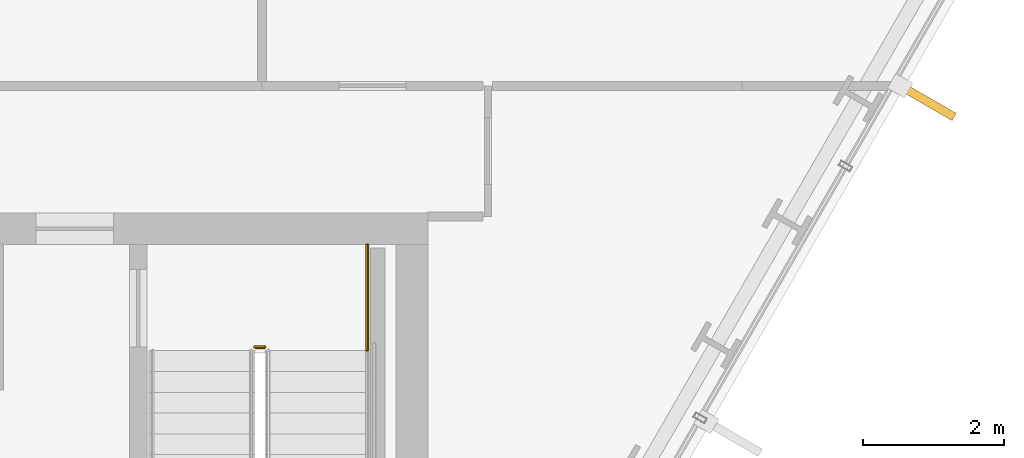
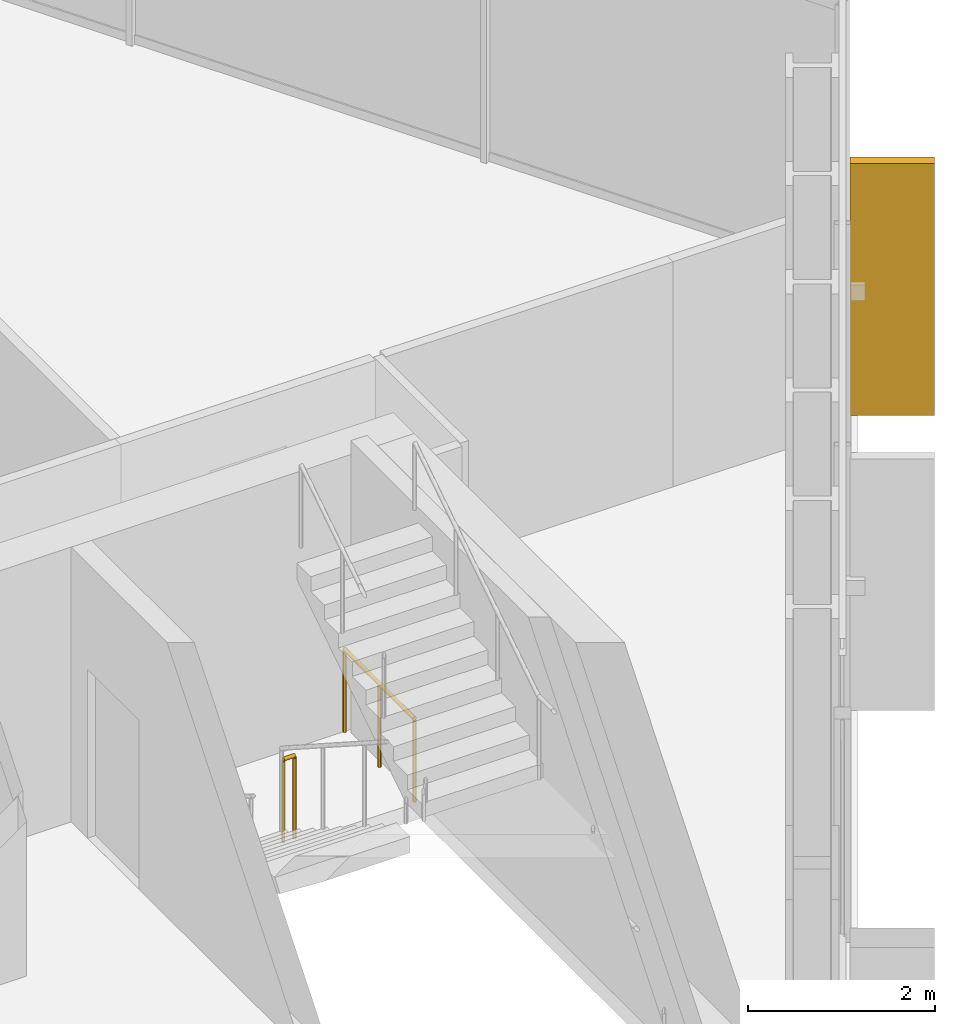
# One storey, part 32 of 33: 2 railings, 1 shading device.
"""IFC4 building model written with IfcOpenShell, lengths in metres."""

from ifc_helpers import new_model, si_unit, direction, frame, origin, origin_2d, place, context, subcontext, project, spatial, rectangle, circle, extrude, material, layer, layer_set, type_object, element, save


model = new_model("IFC4")

# Units and contexts
model_context = context("Model", 3, precision=1e-05, world=origin(), true_north=direction((0.0, 1.0)))
body_context = subcontext(model_context, "Body", "Model", "MODEL_VIEW")
ifc_project = project(units=[si_unit("LENGTHUNIT", "METRE"), si_unit("AREAUNIT", "SQUARE_METRE"), si_unit("VOLUMEUNIT", "CUBIC_METRE"), si_unit("PLANEANGLEUNIT", "RADIAN"), si_unit("MASSUNIT", "GRAM", prefix="KILO")], contexts=[model_context])

# Site, building, storey
site_placement = place(None, origin())
site = spatial("IfcSite", under=ifc_project, at=site_placement, CompositionType="ELEMENT")
building_placement = place(site_placement, origin())
building = spatial("IfcBuilding", under=site, at=building_placement, Name="Ndaravel Arena Tower", CompositionType="ELEMENT")
storey_placement = place(building_placement, frame((0.0, 0.0, 39.800048828125)))
storey = spatial("IfcBuildingStorey", under=building, at=storey_placement, Name="L07", CompositionType="ELEMENT", Elevation=39.800048828125)

# Railings
ifc_material_1 = material(Name="Steel S355", Category="steel")
ifc_layer = layer(ifc_material_1, 0.06005859375)
ifc_layer_set = layer_set([ifc_layer], Name="Steel S355")
railing_type = type_object("IfcRailingType", Name="RAIL-STAIR-GD1100", PredefinedType="GUARDRAIL", material=ifc_layer_set)
railing_1_placement = place(storey_placement, frame((55.10009765625, 13.300048828125, 0.0)))
element("IfcRailing", 1, at=railing_1_placement, inside=storey, type_object=railing_type, Name="L07 ST-3 stair guard 4", PredefinedType="GUARDRAIL", context=body_context, shape_type="SweptSolid", body=[
    extrude(circle(Radius=0.02392578125, at=origin_2d()), frame((0.0, 0.0, 1.076171875), z_axis=(1.0, 0.0, 0.0), x_axis=(0.0, 1.0, 0.0)), (0.0, 0.0, 1.0), 0.139892578125),
    extrude(circle(Radius=0.02099609375, at=origin_2d()), origin(), (0.0, 0.0, 1.0), 1.052001953125),
    extrude(circle(Radius=0.02099609375, at=origin_2d()), frame((0.139892578125, 0.0, 0.0)), (0.0, 0.0, 1.0), 1.052001953125),
])
railing_2_placement = place(storey_placement, frame((56.68994140625, 14.75, 0.0)))
element("IfcRailing", 2, at=railing_2_placement, inside=storey, type_object=railing_type, Name="L07 ST-3 stair guard 5", PredefinedType="GUARDRAIL", context=body_context, shape_type="SweptSolid", body=[
    extrude(circle(Radius=0.02392578125, at=origin_2d()), frame((0.0, 0.0, 1.076171875), z_axis=(0.0, -1.0, 0.0), x_axis=(1.0, 0.0, 0.0)), (0.0, 0.0, 1.0), 1.5),
    extrude(circle(Radius=0.02099609375, at=origin_2d()), origin(), (0.0, 0.0, 1.0), 1.052001953125),
    extrude(circle(Radius=0.02099609375, at=origin_2d()), frame((0.0, -0.75, 0.0)), (0.0, 0.0, 1.0), 1.052001953125),
    extrude(circle(Radius=0.02099609375, at=origin_2d()), frame((0.0, -1.5, 0.0)), (0.0, 0.0, 1.0), 1.052001953125),
])

# Shading device
ifc_material_2 = material(Name="Masonry", Category="masonry")
shading_device_type = type_object("IfcShadingDeviceType", Name="SHD-MAZERAS-FIN", PredefinedType="SHUTTER", material=ifc_material_2)
shading_device_placement = place(storey_placement, frame((64.6162109375, 16.78466796875, 0.14990234375), z_axis=(0.0, 0.0, 1.0), x_axis=(0.866025403784, -0.5, 0.0)))
element("IfcShadingDevice", 3, at=shading_device_placement, inside=storey, type_object=shading_device_type, Name="L07 Mazeras Stone Solar Fin E2.3", PredefinedType="SHUTTER", context=body_context, shape_type="SweptSolid", body=[
    extrude(rectangle(XDim=0.89990234375, YDim=0.1201171875, at=origin_2d()), origin(), (0.0, 0.0, 1.0), 3.280029296875),
])

save(model, "model.ifc")
